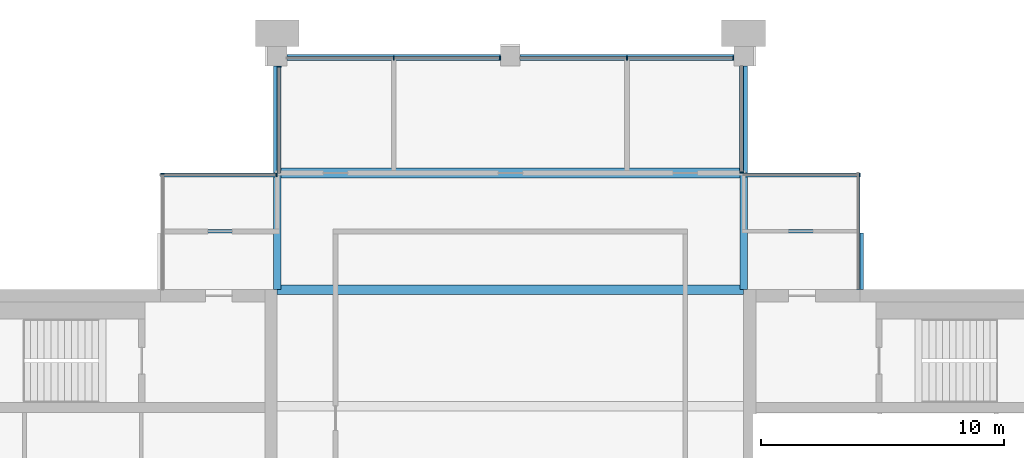
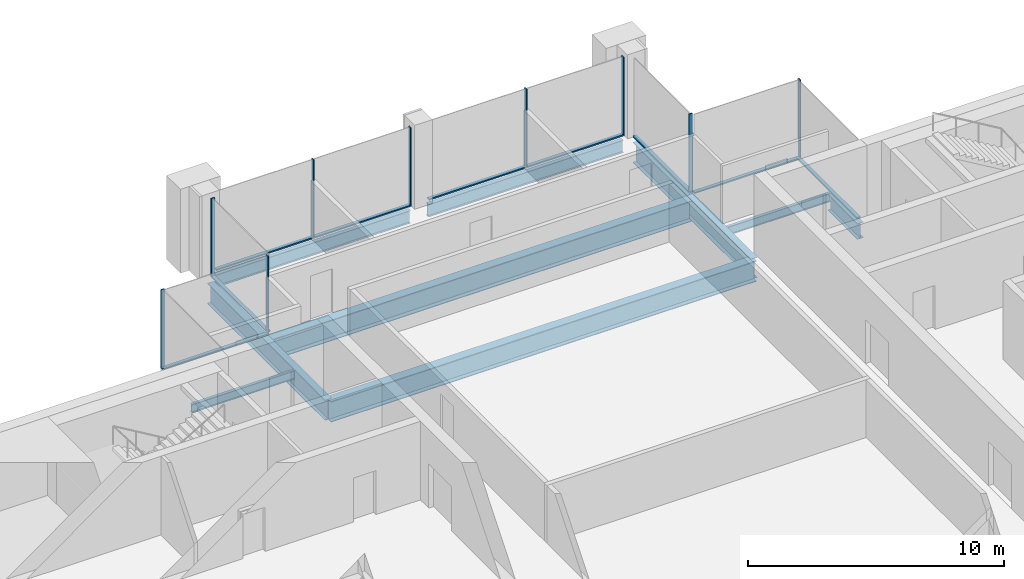
# One storey, part 6 of 11: 16 members, 9 beams, 8 elements without a shape of their own.
"""IFC4 building model written with IfcOpenShell, lengths in metres."""

from ifc_helpers import new_model, si_unit, direction, frame, origin, origin_2d, place, context, subcontext, project, spatial, rectangle, i_section, extrude, material, material_profile, profile_set, type_object, element, aggregate, save


model = new_model("IFC4")

# Units and contexts
model_context = context("Model", 3, precision=1e-05, world=origin(), true_north=direction((0.0, 1.0)))
body_context = subcontext(model_context, "Body", "Model", "MODEL_VIEW")
ifc_project = project(units=[si_unit("LENGTHUNIT", "METRE"), si_unit("AREAUNIT", "SQUARE_METRE"), si_unit("VOLUMEUNIT", "CUBIC_METRE"), si_unit("PLANEANGLEUNIT", "RADIAN"), si_unit("MASSUNIT", "GRAM", prefix="KILO")], contexts=[model_context])

# Site, building, storey
site_placement = place(None, origin())
site = spatial("IfcSite", under=ifc_project, at=site_placement, CompositionType="ELEMENT")
building_placement = place(site_placement, origin())
building = spatial("IfcBuilding", under=site, at=building_placement, Name="Baori Bourse Tower", CompositionType="ELEMENT")
storey_placement = place(building_placement, frame((0.0, 0.0, 366.300048828125)))
storey = spatial("IfcBuildingStorey", under=building, at=storey_placement, Name="L82", CompositionType="ELEMENT", Elevation=366.300048828125)

# Curtain wall, member
ifc_material_1 = material(Name="Pale anodised aluminium", Category="aluminium")
curtain_wall_type = type_object("IfcCurtainWallType", Name="CW3 Curtain wall", PredefinedType="NOTDEFINED", material=ifc_material_1)
curtain_wall_1_placement = place(storey_placement, origin())
curtain_wall_1 = element("IfcCurtainWall", 1, at=curtain_wall_1_placement, inside=storey, type_object=curtain_wall_type, Name="Curtain wall CW3 L82 3", PredefinedType="NOTDEFINED")
ifc_material_2 = material(Name="Pale anodised aluminium", Category="aluminium")
ifc_material_profile_1 = material_profile(ifc_material_2, rectangle(XDim=0.159912109375, YDim=0.050048828125, at=origin_2d()), Name="Mullion 50x160")
ifc_profile_set_1 = profile_set([ifc_material_profile_1], Name="Pale anodised aluminium")
member_type_1 = type_object("IfcMemberType", Name="CW3 Curtain wall mullion", PredefinedType="MULLION", material=ifc_profile_set_1)
member_1_placement = place(storey_placement, frame((43.175048828125, 43.1201171875, 0.06005859375), z_axis=(0.0, 0.0, 1.0), x_axis=(0.0, -1.0, 0.0)))
member_1 = element("IfcMember", 2, at=member_1_placement, type_object=member_type_1, Name="Curtain wall CW3 mullion", PredefinedType="MULLION", context=body_context, shape_type="SweptSolid", body=[
    extrude(rectangle(XDim=0.159912109375, YDim=0.050048828125, at=origin_2d()), origin(), (0.0, 0.0, 1.0), 3.68994140625),
])

curtain_wall_2_placement = place(storey_placement, origin())
curtain_wall_2 = element("IfcCurtainWall", 3, at=curtain_wall_2_placement, inside=storey, type_object=curtain_wall_type, Name="Curtain wall CW3 L82 4", PredefinedType="NOTDEFINED")
member_2_placement = place(storey_placement, frame((38.320068359375, 43.22509765625, 0.06005859375), z_axis=(0.0, 0.0, 1.0), x_axis=(-1.0, 0.0, 0.0)))
member_2 = element("IfcMember", 4, at=member_2_placement, type_object=member_type_1, Name="Curtain wall CW3 mullion", PredefinedType="MULLION", context=body_context, shape_type="SweptSolid", body=[
    extrude(rectangle(XDim=0.159912109375, YDim=0.050048828125, at=origin_2d()), origin(), (0.0, 0.0, 1.0), 3.68994140625),
])

# Curtain wall, members
curtain_wall_3_placement = place(storey_placement, origin())
curtain_wall_3 = element("IfcCurtainWall", 5, at=curtain_wall_3_placement, inside=storey, type_object=curtain_wall_type, Name="Curtain wall CW3 L82 5", PredefinedType="NOTDEFINED")
member_3_placement = place(storey_placement, frame((37.97509765625, 47.919921875, 0.06005859375), z_axis=(0.0, 0.0, 1.0), x_axis=(0.0, -1.0, 0.0)))
member_3 = element("IfcMember", 6, at=member_3_placement, type_object=member_type_1, Name="Curtain wall CW3 mullion", PredefinedType="MULLION", context=body_context, shape_type="SweptSolid", body=[
    extrude(rectangle(XDim=0.159912109375, YDim=0.050048828125, at=origin_2d()), origin(), (0.0, 0.0, 1.0), 3.68994140625),
])
member_4_placement = place(storey_placement, frame((33.60009765625, 47.919921875, 0.06005859375), z_axis=(0.0, 0.0, 1.0), x_axis=(0.0, -1.0, 0.0)))
member_4 = element("IfcMember", 7, at=member_4_placement, type_object=member_type_1, Name="Curtain wall CW3 mullion", PredefinedType="MULLION", context=body_context, shape_type="SweptSolid", body=[
    extrude(rectangle(XDim=0.159912109375, YDim=0.050048828125, at=origin_2d()), origin(), (0.0, 0.0, 1.0), 3.68994140625),
])

curtain_wall_4_placement = place(storey_placement, origin())
curtain_wall_4 = element("IfcCurtainWall", 8, at=curtain_wall_4_placement, inside=storey, type_object=curtain_wall_type, Name="Curtain wall CW3 L82 6", PredefinedType="NOTDEFINED")
member_5_placement = place(storey_placement, frame((28.375, 47.919921875, 0.06005859375), z_axis=(0.0, 0.0, 1.0), x_axis=(0.0, -1.0, 0.0)))
member_5 = element("IfcMember", 9, at=member_5_placement, type_object=member_type_1, Name="Curtain wall CW3 mullion", PredefinedType="MULLION", context=body_context, shape_type="SweptSolid", body=[
    extrude(rectangle(XDim=0.159912109375, YDim=0.050048828125, at=origin_2d()), origin(), (0.0, 0.0, 1.0), 3.68994140625),
])
member_6_placement = place(storey_placement, frame((24.0, 47.919921875, 0.06005859375), z_axis=(0.0, 0.0, 1.0), x_axis=(0.0, -1.0, 0.0)))
member_6 = element("IfcMember", 10, at=member_6_placement, type_object=member_type_1, Name="Curtain wall CW3 mullion", PredefinedType="MULLION", context=body_context, shape_type="SweptSolid", body=[
    extrude(rectangle(XDim=0.159912109375, YDim=0.050048828125, at=origin_2d()), origin(), (0.0, 0.0, 1.0), 3.68994140625),
])

# Curtain wall, member
curtain_wall_5_placement = place(storey_placement, origin())
curtain_wall_5 = element("IfcCurtainWall", 11, at=curtain_wall_5_placement, inside=storey, type_object=curtain_wall_type, Name="Curtain wall CW3 L82 7", PredefinedType="NOTDEFINED")
member_7_placement = place(storey_placement, frame((19.280029296875, 47.574951171875, 0.06005859375), z_axis=(0.0, 0.0, 1.0), x_axis=(1.0, 0.0, 0.0)))
member_7 = element("IfcMember", 12, at=member_7_placement, type_object=member_type_1, Name="Curtain wall CW3 mullion", PredefinedType="MULLION", context=body_context, shape_type="SweptSolid", body=[
    extrude(rectangle(XDim=0.159912109375, YDim=0.050048828125, at=origin_2d()), origin(), (0.0, 0.0, 1.0), 3.68994140625),
])

curtain_wall_6_placement = place(storey_placement, origin())
curtain_wall_6 = element("IfcCurtainWall", 13, at=curtain_wall_6_placement, inside=storey, type_object=curtain_wall_type, Name="Curtain wall CW3 L82 8", PredefinedType="NOTDEFINED")
member_8_placement = place(storey_placement, frame((19.175048828125, 43.1201171875, 0.06005859375), z_axis=(0.0, 0.0, 1.0), x_axis=(0.0, -1.0, 0.0)))
member_8 = element("IfcMember", 14, at=member_8_placement, type_object=member_type_1, Name="Curtain wall CW3 mullion", PredefinedType="MULLION", context=body_context, shape_type="SweptSolid", body=[
    extrude(rectangle(XDim=0.159912109375, YDim=0.050048828125, at=origin_2d()), origin(), (0.0, 0.0, 1.0), 3.68994140625),
])

curtain_wall_7_placement = place(storey_placement, origin())
curtain_wall_7 = element("IfcCurtainWall", 15, at=curtain_wall_7_placement, inside=storey, type_object=curtain_wall_type, Name="Curtain wall CW3 L82 9", PredefinedType="NOTDEFINED")
member_9_placement = place(storey_placement, frame((14.47998046875, 43.175048828125, 0.06005859375), z_axis=(0.0, 0.0, 1.0), x_axis=(1.0, 0.0, 0.0)))
member_9 = element("IfcMember", 16, at=member_9_placement, type_object=member_type_1, Name="Curtain wall CW3 mullion", PredefinedType="MULLION", context=body_context, shape_type="SweptSolid", body=[
    extrude(rectangle(XDim=0.159912109375, YDim=0.050048828125, at=origin_2d()), origin(), (0.0, 0.0, 1.0), 3.68994140625),
])
aggregate(curtain_wall_7, [member_9])

curtain_wall_8_placement = place(storey_placement, origin())
curtain_wall_8 = element("IfcCurtainWall", 17, at=curtain_wall_8_placement, inside=storey, type_object=curtain_wall_type, Name="Curtain wall CW3 L82 2", PredefinedType="NOTDEFINED")
ifc_material_3 = material(Name="Pale anodised aluminium", Category="aluminium")
ifc_material_profile_2 = material_profile(ifc_material_3, rectangle(XDim=0.159912109375, YDim=0.06005859375, at=origin_2d()), Name="Transom 60x160")
ifc_profile_set_2 = profile_set([ifc_material_profile_2], Name="Pale anodised aluminium")
member_type_2 = type_object("IfcMemberType", Name="CW3 Curtain wall transom", PredefinedType="USERDEFINED", material=ifc_profile_set_2)
member_10_placement = place(storey_placement, frame((43.1201171875, 38.39990234375, 0.030029296875), z_axis=(0.0, 1.0, 0.0), x_axis=(-1.0, 0.0, 0.0)))
member_10 = element("IfcMember", 18, at=member_10_placement, type_object=member_type_2, Name="Curtain wall CW3 sill rail", ObjectType="TRANSOM", PredefinedType="USERDEFINED", context=body_context, shape_type="SweptSolid", body=[
    extrude(rectangle(XDim=0.159912109375, YDim=0.06005859375, at=origin_2d()), origin(), (0.0, 0.0, 1.0), 4.800048828125),
])
aggregate(curtain_wall_8, [member_10])

# Member
member_11_placement = place(storey_placement, frame((43.199951171875, 43.1201171875, 0.030029296875), z_axis=(-1.0, 0.0, 0.0), x_axis=(0.0, -1.0, 0.0)))
member_11 = element("IfcMember", 19, at=member_11_placement, type_object=member_type_2, Name="Curtain wall CW3 sill rail", ObjectType="TRANSOM", PredefinedType="USERDEFINED", context=body_context, shape_type="SweptSolid", body=[
    extrude(rectangle(XDim=0.159912109375, YDim=0.06005859375, at=origin_2d()), origin(), (0.0, 0.0, 1.0), 4.800048828125),
])

aggregate(curtain_wall_1, [member_11, member_1])

member_12_placement = place(storey_placement, frame((38.320068359375, 43.199951171875, 0.030029296875), z_axis=(0.0, 1.0, 0.0), x_axis=(-1.0, 0.0, 0.0)))
member_12 = element("IfcMember", 20, at=member_12_placement, type_object=member_type_2, Name="Curtain wall CW3 sill rail", ObjectType="TRANSOM", PredefinedType="USERDEFINED", context=body_context, shape_type="SweptSolid", body=[
    extrude(rectangle(XDim=0.159912109375, YDim=0.06005859375, at=origin_2d()), origin(), (0.0, 0.0, 1.0), 4.400146484375),
])

aggregate(curtain_wall_2, [member_12, member_2])

member_13_placement = place(storey_placement, frame((38.0, 47.919921875, 0.030029296875), z_axis=(-1.0, 0.0, 0.0), x_axis=(0.0, -1.0, 0.0)))
member_13 = element("IfcMember", 21, at=member_13_placement, type_object=member_type_2, Name="Curtain wall CW3 sill rail", ObjectType="TRANSOM", PredefinedType="USERDEFINED", context=body_context, shape_type="SweptSolid", body=[
    extrude(rectangle(XDim=0.159912109375, YDim=0.06005859375, at=origin_2d()), origin(), (0.0, 0.0, 1.0), 8.800048828125),
])

aggregate(curtain_wall_3, [member_13, member_3, member_4])

member_14_placement = place(storey_placement, frame((28.39990234375, 47.919921875, 0.030029296875), z_axis=(-1.0, 0.0, 0.0), x_axis=(0.0, -1.0, 0.0)))
member_14 = element("IfcMember", 22, at=member_14_placement, type_object=member_type_2, Name="Curtain wall CW3 sill rail", ObjectType="TRANSOM", PredefinedType="USERDEFINED", context=body_context, shape_type="SweptSolid", body=[
    extrude(rectangle(XDim=0.159912109375, YDim=0.06005859375, at=origin_2d()), origin(), (0.0, 0.0, 1.0), 8.7998046875),
])

aggregate(curtain_wall_4, [member_14, member_5, member_6])

member_15_placement = place(storey_placement, frame((19.280029296875, 47.60009765625, 0.030029296875), z_axis=(0.0, -1.0, 0.0), x_axis=(1.0, 0.0, 0.0)))
member_15 = element("IfcMember", 23, at=member_15_placement, type_object=member_type_2, Name="Curtain wall CW3 sill rail", ObjectType="TRANSOM", PredefinedType="USERDEFINED", context=body_context, shape_type="SweptSolid", body=[
    extrude(rectangle(XDim=0.159912109375, YDim=0.06005859375, at=origin_2d()), origin(), (0.0, 0.0, 1.0), 4.400146484375),
])

aggregate(curtain_wall_5, [member_15, member_7])

member_16_placement = place(storey_placement, frame((19.199951171875, 43.1201171875, 0.030029296875), z_axis=(-1.0, 0.0, 0.0), x_axis=(0.0, -1.0, 0.0)))
member_16 = element("IfcMember", 24, at=member_16_placement, type_object=member_type_2, Name="Curtain wall CW3 sill rail", ObjectType="TRANSOM", PredefinedType="USERDEFINED", context=body_context, shape_type="SweptSolid", body=[
    extrude(rectangle(XDim=0.159912109375, YDim=0.06005859375, at=origin_2d()), origin(), (0.0, 0.0, 1.0), 4.800048828125),
])

aggregate(curtain_wall_6, [member_16, member_8])

# Beams
ifc_material_4 = material(Name="Steel A992 Gr 50", Category="steel")
ifc_material_profile_3 = material_profile(ifc_material_4, i_section(OverallWidth=0.26416015625, OverallDepth=0.749267578125, WebThickness=0.011962890625, FlangeThickness=0.015380859375, at=origin_2d()), Name="W30x90")
ifc_profile_set_3 = profile_set([ifc_material_profile_3], Name="Steel A992 Gr 50")
beam_type_1 = type_object("IfcBeamType", Name="Core bracket W30x90", PredefinedType="BEAM", material=ifc_profile_set_3)
beam_1_placement = place(storey_placement, frame((43.199951171875, 38.39990234375, -0.624755859375), z_axis=(0.0, 1.0, 0.0), x_axis=(-1.0, 0.0, 0.0)))
element("IfcBeam", 25, at=beam_1_placement, inside=storey, type_object=beam_type_1, Name="Core bracket L82", PredefinedType="BEAM", context=body_context, shape_type="SweptSolid", body=[
    extrude(i_section(OverallWidth=0.26416015625, OverallDepth=0.749267578125, WebThickness=0.011962890625, FlangeThickness=0.015380859375, at=origin_2d()), origin(), (0.0, 0.0, 1.0), 2.329833984375),
])
ifc_material_5 = material(Name="Steel A992 Gr 50", Category="steel")
ifc_material_profile_4 = material_profile(ifc_material_5, i_section(OverallWidth=0.177978515625, OverallDepth=0.599365234375, WebThickness=0.010009765625, FlangeThickness=0.012939453125, at=origin_2d()), Name="W24x55")
ifc_profile_set_4 = profile_set([ifc_material_profile_4], Name="Steel A992 Gr 50")
beam_type_2 = type_object("IfcBeamType", Name="Edge beam W24x55", PredefinedType="BEAM", material=ifc_profile_set_4)
beam_2_placement = place(storey_placement, frame((19.60009765625, 48.0, -0.5498046875), z_axis=(1.0, 0.0, 0.0), x_axis=(0.0, 1.0, 0.0)))
element("IfcBeam", 26, at=beam_2_placement, inside=storey, type_object=beam_type_2, Name="Edge beam L82", PredefinedType="BEAM", context=body_context, shape_type="SweptSolid", body=[
    extrude(i_section(OverallWidth=0.177978515625, OverallDepth=0.599365234375, WebThickness=0.010009765625, FlangeThickness=0.012939453125, at=origin_2d()), origin(), (0.0, 0.0, 1.0), 8.7998046875),
])
beam_3_placement = place(storey_placement, frame((29.199951171875, 48.0, -0.5498046875), z_axis=(1.0, 0.0, 0.0), x_axis=(0.0, 1.0, 0.0)))
element("IfcBeam", 27, at=beam_3_placement, inside=storey, type_object=beam_type_2, Name="Edge beam L82", PredefinedType="BEAM", context=body_context, shape_type="SweptSolid", body=[
    extrude(i_section(OverallWidth=0.177978515625, OverallDepth=0.599365234375, WebThickness=0.010009765625, FlangeThickness=0.012939453125, at=origin_2d()), origin(), (0.0, 0.0, 1.0), 8.800048828125),
])
ifc_material_6 = material(Name="Steel A992 Gr 50", Category="steel")
ifc_material_profile_5 = material_profile(ifc_material_6, i_section(OverallWidth=0.4013671875, OverallDepth=0.990478515625, WebThickness=0.0166015625, FlangeThickness=0.031005859375, at=origin_2d()), Name="W40x215")
ifc_profile_set_5 = profile_set([ifc_material_profile_5], Name="Steel A992 Gr 50")
beam_type_3 = type_object("IfcBeamType", Name="Floor beam W40x215", PredefinedType="BEAM", material=ifc_profile_set_5)
beam_4_placement = place(storey_placement, frame((19.199951171875, 38.39990234375, -0.745361328125), z_axis=(1.0, 0.0, 0.0), x_axis=(0.0, 1.0, 0.0)))
element("IfcBeam", 28, at=beam_4_placement, inside=storey, type_object=beam_type_3, Name="Floor beam L82", PredefinedType="BEAM", context=body_context, shape_type="SweptSolid", body=[
    extrude(i_section(OverallWidth=0.4013671875, OverallDepth=0.990478515625, WebThickness=0.0166015625, FlangeThickness=0.031005859375, at=origin_2d()), origin(), (0.0, 0.0, 1.0), 19.199951171875),
])
beam_5_placement = place(storey_placement, frame((19.349853515625, 43.199951171875, -0.745361328125), z_axis=(1.0, 0.0, 0.0), x_axis=(0.0, 1.0, 0.0)))
element("IfcBeam", 29, at=beam_5_placement, inside=storey, type_object=beam_type_3, Name="Floor beam L82", PredefinedType="BEAM", context=body_context, shape_type="SweptSolid", body=[
    extrude(i_section(OverallWidth=0.4013671875, OverallDepth=0.990478515625, WebThickness=0.0166015625, FlangeThickness=0.031005859375, at=origin_2d()), origin(), (0.0, 0.0, 1.0), 18.900390625),
])
ifc_material_7 = material(Name="Steel A992 Gr 50", Category="steel")
ifc_material_profile_6 = material_profile(ifc_material_7, i_section(OverallWidth=0.2998046875, OverallDepth=0.97021484375, WebThickness=0.01611328125, FlangeThickness=0.02099609375, at=origin_2d()), Name="W40x149")
ifc_profile_set_6 = profile_set([ifc_material_profile_6], Name="Steel A992 Gr 50")
beam_type_4 = type_object("IfcBeamType", Name="Girder W40x149", PredefinedType="BEAM", material=ifc_profile_set_6)
for number, where, z_axis, x_axis, name in (
    (30, (19.199951171875, 38.39990234375, -0.735107421875), (0.0, 1.0, 0.0), (-1.0, 0.0, 0.0), "Girder L82"),
    (31, (38.39990234375, 38.39990234375, -0.735107421875), (0.0, 1.0, 0.0), (-1.0, 0.0, 0.0), "Girder L82"),
):
    element("IfcBeam", number, at=place(storey_placement, frame(where, z_axis=z_axis, x_axis=x_axis)), inside=storey, type_object=beam_type_4, Name=name, PredefinedType="BEAM", context=body_context, shape_type="SweptSolid", body=[
        extrude(i_section(OverallWidth=0.2998046875, OverallDepth=0.97021484375, WebThickness=0.01611328125, FlangeThickness=0.02099609375, at=origin_2d()), origin(), (0.0, 0.0, 1.0), 9.2001953125),
    ])
ifc_material_8 = material(Name="Steel A992 Gr 50", Category="steel")
ifc_material_profile_7 = material_profile(ifc_material_8, i_section(OverallWidth=0.140380859375, OverallDepth=0.40380859375, WebThickness=0.007080078125, FlangeThickness=0.01123046875, at=origin_2d()), Name="W16x31")
ifc_profile_set_7 = profile_set([ifc_material_profile_7], Name="Steel A992 Gr 50")
beam_type_5 = type_object("IfcBeamType", Name="Trimmer beam W16x31", PredefinedType="BEAM", material=ifc_profile_set_7)
for number, where, z_axis, x_axis, name in (
    (32, (14.39990234375, 40.800048828125, -0.451904296875), (1.0, 0.0, 0.0), (0.0, 1.0, 0.0), "Trimmer beam L82"),
    (33, (38.5498046875, 40.800048828125, -0.451904296875), (1.0, 0.0, 0.0), (0.0, 1.0, 0.0), "Trimmer beam L82"),
):
    element("IfcBeam", number, at=place(storey_placement, frame(where, z_axis=z_axis, x_axis=x_axis)), inside=storey, type_object=beam_type_5, Name=name, PredefinedType="BEAM", context=body_context, shape_type="SweptSolid", body=[
        extrude(i_section(OverallWidth=0.140380859375, OverallDepth=0.40380859375, WebThickness=0.007080078125, FlangeThickness=0.01123046875, at=origin_2d()), origin(), (0.0, 0.0, 1.0), 4.650146484375),
    ])

save(model, "model.ifc")
